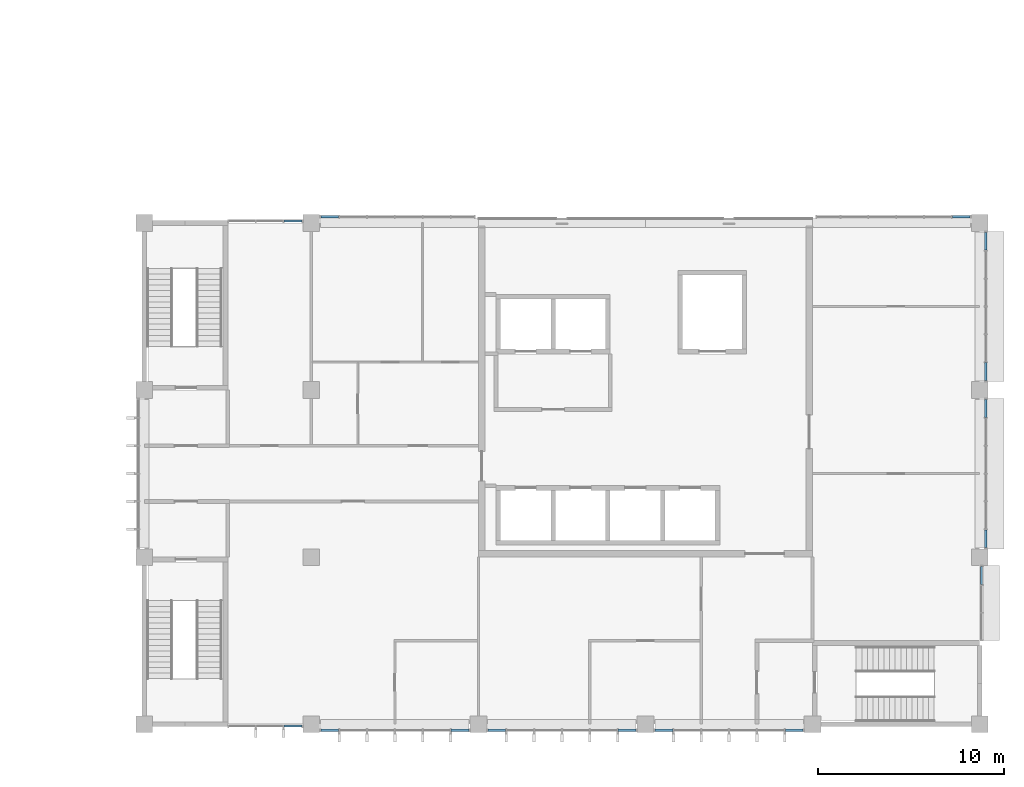
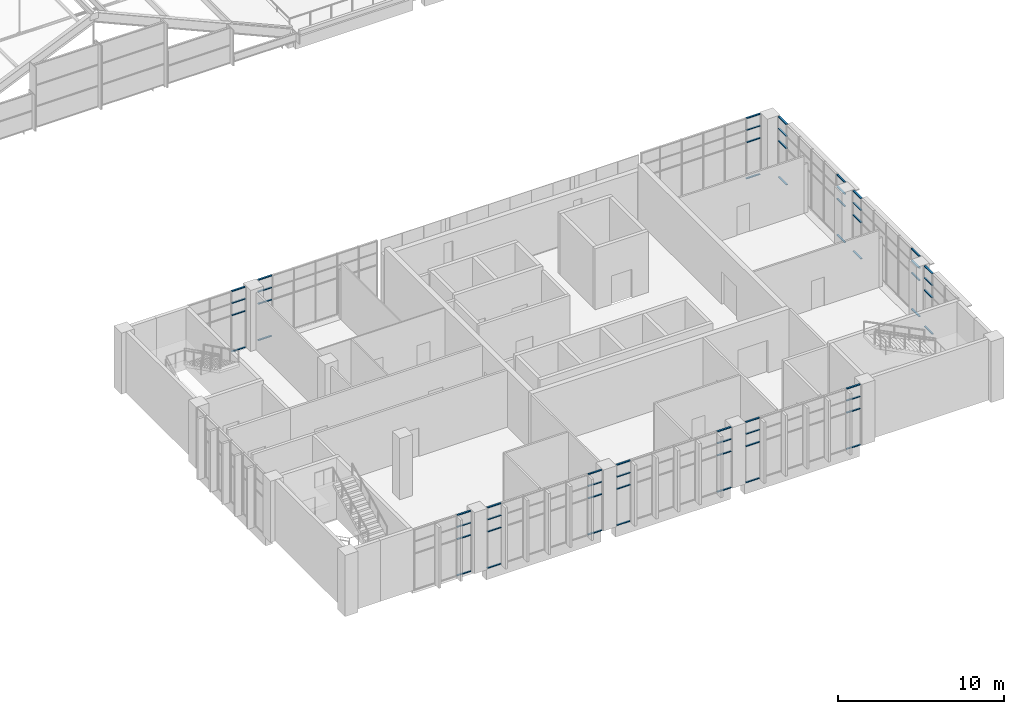
# One storey, part 49 of 106: 60 members, 10 elements without a shape of their own.
"""IFC4 building model written with IfcOpenShell, lengths in metres."""

from ifc_helpers import new_model, si_unit, direction, frame, origin, origin_2d, place, context, subcontext, project, spatial, rectangle, extrude, material, layer, layer_set, material_profile, profile_set, type_object, element, aggregate, save


model = new_model("IFC4")

# Units and contexts
model_context = context("Model", 3, precision=1e-05, world=origin(), true_north=direction((0.0, 1.0)))
body_context = subcontext(model_context, "Body", "Model", "MODEL_VIEW")
ifc_project = project(units=[si_unit("LENGTHUNIT", "METRE"), si_unit("AREAUNIT", "SQUARE_METRE"), si_unit("VOLUMEUNIT", "CUBIC_METRE"), si_unit("PLANEANGLEUNIT", "RADIAN"), si_unit("MASSUNIT", "GRAM", prefix="KILO")], contexts=[model_context])

# Site, building, storey
site_placement = place(None, origin())
site = spatial("IfcSite", under=ifc_project, at=site_placement, CompositionType="ELEMENT")
building_placement = place(site_placement, origin())
building = spatial("IfcBuilding", under=site, at=building_placement, Name="Guidao Yard Department Store", CompositionType="ELEMENT")
storey_placement = place(building_placement, frame((0.0, 0.0, 10.5)))
storey = spatial("IfcBuildingStorey", under=building, at=storey_placement, Name="L02", CompositionType="ELEMENT", Elevation=10.5)

# Curtain wall, members
ifc_material_1 = material(Name="Aluminium and glass", Category="aluminium")
ifc_layer = layer(ifc_material_1, 0.159912109375)
ifc_layer_set = layer_set([ifc_layer], Name="Unitised curtain wall CW4 1500 module")
curtain_wall_type = type_object("IfcCurtainWallType", Name="Unitised curtain wall CW4 1500 module", PredefinedType="NOTDEFINED", material=ifc_layer_set)
curtain_wall_1_placement = place(storey_placement, origin())
curtain_wall_1 = element("IfcCurtainWall", 1, at=curtain_wall_1_placement, inside=storey, type_object=curtain_wall_type, Name="Unitised curtain wall", PredefinedType="NOTDEFINED")
ifc_material_2 = material(Name="Aluminium 6063-T5", Category="aluminium")
ifc_material_profile = material_profile(ifc_material_2, rectangle(XDim=0.1201171875, YDim=0.06005859375, at=origin_2d()), Name="Transom T1 60 x 120 aluminium pressure plate")
ifc_profile_set = profile_set([ifc_material_profile], Name="Aluminium 6063-T5")
member_type = type_object("IfcMemberType", Name="Transom T1 60 x 120 aluminium pressure plate", PredefinedType="USERDEFINED", material=ifc_profile_set)
member_1_placement = place(storey_placement, frame((134.489990234375, -0.10009765625, 0.030029296875), z_axis=(-1.0, 0.0, 0.0), x_axis=(0.0, -1.0, 0.0)))
member_1 = element("IfcMember", 2, at=member_1_placement, type_object=member_type, Name="CW-OW-L02-01 transom 3.1", ObjectType="TRANSOM", PredefinedType="USERDEFINED", context=body_context, shape_type="SweptSolid", body=[
    extrude(rectangle(XDim=0.1201171875, YDim=0.06005859375, at=origin_2d()), origin(), (0.0, 0.0, 1.0), 0.9599609375),
])
member_2_placement = place(storey_placement, frame((134.489990234375, -0.10009765625, 2.699951171875), z_axis=(-1.0, 0.0, 0.0), x_axis=(0.0, -1.0, 0.0)))
member_2 = element("IfcMember", 3, at=member_2_placement, type_object=member_type, Name="CW-OW-L02-01 transom 3.2", ObjectType="TRANSOM", PredefinedType="USERDEFINED", context=body_context, shape_type="SweptSolid", body=[
    extrude(rectangle(XDim=0.1201171875, YDim=0.06005859375, at=origin_2d()), origin(), (0.0, 0.0, 1.0), 0.9599609375),
])
member_3_placement = place(storey_placement, frame((134.489990234375, -0.10009765625, 3.60009765625), z_axis=(-1.0, 0.0, 0.0), x_axis=(0.0, -1.0, 0.0)))
member_3 = element("IfcMember", 4, at=member_3_placement, type_object=member_type, Name="CW-OW-L02-01 transom 3.3", ObjectType="TRANSOM", PredefinedType="USERDEFINED", context=body_context, shape_type="SweptSolid", body=[
    extrude(rectangle(XDim=0.1201171875, YDim=0.06005859375, at=origin_2d()), origin(), (0.0, 0.0, 1.0), 0.9599609375),
])
member_4_placement = place(storey_placement, frame((134.489990234375, -0.10009765625, 4.469970703125), z_axis=(-1.0, 0.0, 0.0), x_axis=(0.0, -1.0, 0.0)))
member_4 = element("IfcMember", 5, at=member_4_placement, type_object=member_type, Name="CW-OW-L02-01 transom 3.4", ObjectType="TRANSOM", PredefinedType="USERDEFINED", context=body_context, shape_type="SweptSolid", body=[
    extrude(rectangle(XDim=0.1201171875, YDim=0.06005859375, at=origin_2d()), origin(), (0.0, 0.0, 1.0), 0.9599609375),
])
aggregate(curtain_wall_1, [member_1, member_2, member_3, member_4])

curtain_wall_2_placement = place(storey_placement, origin())
curtain_wall_2 = element("IfcCurtainWall", 6, at=curtain_wall_2_placement, inside=storey, type_object=curtain_wall_type, Name="Unitised curtain wall", PredefinedType="NOTDEFINED")
member_5_placement = place(storey_placement, frame((136.469970703125, -0.330078125, 0.030029296875), z_axis=(-1.0, 0.0, 0.0), x_axis=(0.0, -1.0, 0.0)))
member_5 = element("IfcMember", 7, at=member_5_placement, type_object=member_type, Name="CW-OW-L02-02 transom 1.1", ObjectType="TRANSOM", PredefinedType="USERDEFINED", context=body_context, shape_type="SweptSolid", body=[
    extrude(rectangle(XDim=0.1201171875, YDim=0.06005859375, at=origin_2d()), origin(), (0.0, 0.0, 1.0), 0.9599609375),
])
member_6_placement = place(storey_placement, frame((136.469970703125, -0.330078125, 2.699951171875), z_axis=(-1.0, 0.0, 0.0), x_axis=(0.0, -1.0, 0.0)))
member_6 = element("IfcMember", 8, at=member_6_placement, type_object=member_type, Name="CW-OW-L02-02 transom 1.2", ObjectType="TRANSOM", PredefinedType="USERDEFINED", context=body_context, shape_type="SweptSolid", body=[
    extrude(rectangle(XDim=0.1201171875, YDim=0.06005859375, at=origin_2d()), origin(), (0.0, 0.0, 1.0), 0.9599609375),
])
member_7_placement = place(storey_placement, frame((136.469970703125, -0.330078125, 3.60009765625), z_axis=(-1.0, 0.0, 0.0), x_axis=(0.0, -1.0, 0.0)))
member_7 = element("IfcMember", 9, at=member_7_placement, type_object=member_type, Name="CW-OW-L02-02 transom 1.3", ObjectType="TRANSOM", PredefinedType="USERDEFINED", context=body_context, shape_type="SweptSolid", body=[
    extrude(rectangle(XDim=0.1201171875, YDim=0.06005859375, at=origin_2d()), origin(), (0.0, 0.0, 1.0), 0.9599609375),
])
member_8_placement = place(storey_placement, frame((136.469970703125, -0.330078125, 4.469970703125), z_axis=(-1.0, 0.0, 0.0), x_axis=(0.0, -1.0, 0.0)))
member_8 = element("IfcMember", 10, at=member_8_placement, type_object=member_type, Name="CW-OW-L02-02 transom 1.4", ObjectType="TRANSOM", PredefinedType="USERDEFINED", context=body_context, shape_type="SweptSolid", body=[
    extrude(rectangle(XDim=0.1201171875, YDim=0.06005859375, at=origin_2d()), origin(), (0.0, 0.0, 1.0), 0.9599609375),
])
member_9_placement = place(storey_placement, frame((143.489990234375, -0.330078125, 0.030029296875), z_axis=(-1.0, 0.0, 0.0), x_axis=(0.0, -1.0, 0.0)))
member_9 = element("IfcMember", 11, at=member_9_placement, type_object=member_type, Name="CW-OW-L02-02 transom 6.1", ObjectType="TRANSOM", PredefinedType="USERDEFINED", context=body_context, shape_type="SweptSolid", body=[
    extrude(rectangle(XDim=0.1201171875, YDim=0.06005859375, at=origin_2d()), origin(), (0.0, 0.0, 1.0), 0.9599609375),
])
member_10_placement = place(storey_placement, frame((143.489990234375, -0.330078125, 2.699951171875), z_axis=(-1.0, 0.0, 0.0), x_axis=(0.0, -1.0, 0.0)))
member_10 = element("IfcMember", 12, at=member_10_placement, type_object=member_type, Name="CW-OW-L02-02 transom 6.2", ObjectType="TRANSOM", PredefinedType="USERDEFINED", context=body_context, shape_type="SweptSolid", body=[
    extrude(rectangle(XDim=0.1201171875, YDim=0.06005859375, at=origin_2d()), origin(), (0.0, 0.0, 1.0), 0.9599609375),
])
member_11_placement = place(storey_placement, frame((143.489990234375, -0.330078125, 3.60009765625), z_axis=(-1.0, 0.0, 0.0), x_axis=(0.0, -1.0, 0.0)))
member_11 = element("IfcMember", 13, at=member_11_placement, type_object=member_type, Name="CW-OW-L02-02 transom 6.3", ObjectType="TRANSOM", PredefinedType="USERDEFINED", context=body_context, shape_type="SweptSolid", body=[
    extrude(rectangle(XDim=0.1201171875, YDim=0.06005859375, at=origin_2d()), origin(), (0.0, 0.0, 1.0), 0.9599609375),
])
member_12_placement = place(storey_placement, frame((143.489990234375, -0.330078125, 4.469970703125), z_axis=(-1.0, 0.0, 0.0), x_axis=(0.0, -1.0, 0.0)))
member_12 = element("IfcMember", 14, at=member_12_placement, type_object=member_type, Name="CW-OW-L02-02 transom 6.4", ObjectType="TRANSOM", PredefinedType="USERDEFINED", context=body_context, shape_type="SweptSolid", body=[
    extrude(rectangle(XDim=0.1201171875, YDim=0.06005859375, at=origin_2d()), origin(), (0.0, 0.0, 1.0), 0.9599609375),
])
aggregate(curtain_wall_2, [member_5, member_6, member_7, member_8, member_9, member_10, member_11, member_12])

curtain_wall_3_placement = place(storey_placement, origin())
curtain_wall_3 = element("IfcCurtainWall", 15, at=curtain_wall_3_placement, inside=storey, type_object=curtain_wall_type, Name="Unitised curtain wall", PredefinedType="NOTDEFINED")
member_13_placement = place(storey_placement, frame((145.469970703125, -0.330078125, 0.030029296875), z_axis=(-1.0, 0.0, 0.0), x_axis=(0.0, -1.0, 0.0)))
member_13 = element("IfcMember", 16, at=member_13_placement, type_object=member_type, Name="CW-OW-L02-03 transom 1.1", ObjectType="TRANSOM", PredefinedType="USERDEFINED", context=body_context, shape_type="SweptSolid", body=[
    extrude(rectangle(XDim=0.1201171875, YDim=0.06005859375, at=origin_2d()), origin(), (0.0, 0.0, 1.0), 0.9599609375),
])
member_14_placement = place(storey_placement, frame((145.469970703125, -0.330078125, 2.699951171875), z_axis=(-1.0, 0.0, 0.0), x_axis=(0.0, -1.0, 0.0)))
member_14 = element("IfcMember", 17, at=member_14_placement, type_object=member_type, Name="CW-OW-L02-03 transom 1.2", ObjectType="TRANSOM", PredefinedType="USERDEFINED", context=body_context, shape_type="SweptSolid", body=[
    extrude(rectangle(XDim=0.1201171875, YDim=0.06005859375, at=origin_2d()), origin(), (0.0, 0.0, 1.0), 0.9599609375),
])
member_15_placement = place(storey_placement, frame((145.469970703125, -0.330078125, 3.60009765625), z_axis=(-1.0, 0.0, 0.0), x_axis=(0.0, -1.0, 0.0)))
member_15 = element("IfcMember", 18, at=member_15_placement, type_object=member_type, Name="CW-OW-L02-03 transom 1.3", ObjectType="TRANSOM", PredefinedType="USERDEFINED", context=body_context, shape_type="SweptSolid", body=[
    extrude(rectangle(XDim=0.1201171875, YDim=0.06005859375, at=origin_2d()), origin(), (0.0, 0.0, 1.0), 0.9599609375),
])
member_16_placement = place(storey_placement, frame((145.469970703125, -0.330078125, 4.469970703125), z_axis=(-1.0, 0.0, 0.0), x_axis=(0.0, -1.0, 0.0)))
member_16 = element("IfcMember", 19, at=member_16_placement, type_object=member_type, Name="CW-OW-L02-03 transom 1.4", ObjectType="TRANSOM", PredefinedType="USERDEFINED", context=body_context, shape_type="SweptSolid", body=[
    extrude(rectangle(XDim=0.1201171875, YDim=0.06005859375, at=origin_2d()), origin(), (0.0, 0.0, 1.0), 0.9599609375),
])
member_17_placement = place(storey_placement, frame((152.489990234375, -0.330078125, 0.030029296875), z_axis=(-1.0, 0.0, 0.0), x_axis=(0.0, -1.0, 0.0)))
member_17 = element("IfcMember", 20, at=member_17_placement, type_object=member_type, Name="CW-OW-L02-03 transom 6.1", ObjectType="TRANSOM", PredefinedType="USERDEFINED", context=body_context, shape_type="SweptSolid", body=[
    extrude(rectangle(XDim=0.1201171875, YDim=0.06005859375, at=origin_2d()), origin(), (0.0, 0.0, 1.0), 0.9599609375),
])
member_18_placement = place(storey_placement, frame((152.489990234375, -0.330078125, 2.699951171875), z_axis=(-1.0, 0.0, 0.0), x_axis=(0.0, -1.0, 0.0)))
member_18 = element("IfcMember", 21, at=member_18_placement, type_object=member_type, Name="CW-OW-L02-03 transom 6.2", ObjectType="TRANSOM", PredefinedType="USERDEFINED", context=body_context, shape_type="SweptSolid", body=[
    extrude(rectangle(XDim=0.1201171875, YDim=0.06005859375, at=origin_2d()), origin(), (0.0, 0.0, 1.0), 0.9599609375),
])
member_19_placement = place(storey_placement, frame((152.489990234375, -0.330078125, 3.60009765625), z_axis=(-1.0, 0.0, 0.0), x_axis=(0.0, -1.0, 0.0)))
member_19 = element("IfcMember", 22, at=member_19_placement, type_object=member_type, Name="CW-OW-L02-03 transom 6.3", ObjectType="TRANSOM", PredefinedType="USERDEFINED", context=body_context, shape_type="SweptSolid", body=[
    extrude(rectangle(XDim=0.1201171875, YDim=0.06005859375, at=origin_2d()), origin(), (0.0, 0.0, 1.0), 0.9599609375),
])
member_20_placement = place(storey_placement, frame((152.489990234375, -0.330078125, 4.469970703125), z_axis=(-1.0, 0.0, 0.0), x_axis=(0.0, -1.0, 0.0)))
member_20 = element("IfcMember", 23, at=member_20_placement, type_object=member_type, Name="CW-OW-L02-03 transom 6.4", ObjectType="TRANSOM", PredefinedType="USERDEFINED", context=body_context, shape_type="SweptSolid", body=[
    extrude(rectangle(XDim=0.1201171875, YDim=0.06005859375, at=origin_2d()), origin(), (0.0, 0.0, 1.0), 0.9599609375),
])
aggregate(curtain_wall_3, [member_13, member_14, member_15, member_16, member_17, member_18, member_19, member_20])

curtain_wall_4_placement = place(storey_placement, origin())
curtain_wall_4 = element("IfcCurtainWall", 24, at=curtain_wall_4_placement, inside=storey, type_object=curtain_wall_type, Name="Unitised curtain wall", PredefinedType="NOTDEFINED")
member_21_placement = place(storey_placement, frame((154.469970703125, -0.330078125, 0.030029296875), z_axis=(-1.0, 0.0, 0.0), x_axis=(0.0, -1.0, 0.0)))
member_21 = element("IfcMember", 25, at=member_21_placement, type_object=member_type, Name="CW-OW-L02-04 transom 1.1", ObjectType="TRANSOM", PredefinedType="USERDEFINED", context=body_context, shape_type="SweptSolid", body=[
    extrude(rectangle(XDim=0.1201171875, YDim=0.06005859375, at=origin_2d()), origin(), (0.0, 0.0, 1.0), 0.9599609375),
])
member_22_placement = place(storey_placement, frame((154.469970703125, -0.330078125, 2.699951171875), z_axis=(-1.0, 0.0, 0.0), x_axis=(0.0, -1.0, 0.0)))
member_22 = element("IfcMember", 26, at=member_22_placement, type_object=member_type, Name="CW-OW-L02-04 transom 1.2", ObjectType="TRANSOM", PredefinedType="USERDEFINED", context=body_context, shape_type="SweptSolid", body=[
    extrude(rectangle(XDim=0.1201171875, YDim=0.06005859375, at=origin_2d()), origin(), (0.0, 0.0, 1.0), 0.9599609375),
])
member_23_placement = place(storey_placement, frame((154.469970703125, -0.330078125, 3.60009765625), z_axis=(-1.0, 0.0, 0.0), x_axis=(0.0, -1.0, 0.0)))
member_23 = element("IfcMember", 27, at=member_23_placement, type_object=member_type, Name="CW-OW-L02-04 transom 1.3", ObjectType="TRANSOM", PredefinedType="USERDEFINED", context=body_context, shape_type="SweptSolid", body=[
    extrude(rectangle(XDim=0.1201171875, YDim=0.06005859375, at=origin_2d()), origin(), (0.0, 0.0, 1.0), 0.9599609375),
])
member_24_placement = place(storey_placement, frame((154.469970703125, -0.330078125, 4.469970703125), z_axis=(-1.0, 0.0, 0.0), x_axis=(0.0, -1.0, 0.0)))
member_24 = element("IfcMember", 28, at=member_24_placement, type_object=member_type, Name="CW-OW-L02-04 transom 1.4", ObjectType="TRANSOM", PredefinedType="USERDEFINED", context=body_context, shape_type="SweptSolid", body=[
    extrude(rectangle(XDim=0.1201171875, YDim=0.06005859375, at=origin_2d()), origin(), (0.0, 0.0, 1.0), 0.9599609375),
])
member_25_placement = place(storey_placement, frame((161.489990234375, -0.330078125, 0.030029296875), z_axis=(-1.0, 0.0, 0.0), x_axis=(0.0, -1.0, 0.0)))
member_25 = element("IfcMember", 29, at=member_25_placement, type_object=member_type, Name="CW-OW-L02-04 transom 6.1", ObjectType="TRANSOM", PredefinedType="USERDEFINED", context=body_context, shape_type="SweptSolid", body=[
    extrude(rectangle(XDim=0.1201171875, YDim=0.06005859375, at=origin_2d()), origin(), (0.0, 0.0, 1.0), 0.9599609375),
])
member_26_placement = place(storey_placement, frame((161.489990234375, -0.330078125, 2.699951171875), z_axis=(-1.0, 0.0, 0.0), x_axis=(0.0, -1.0, 0.0)))
member_26 = element("IfcMember", 30, at=member_26_placement, type_object=member_type, Name="CW-OW-L02-04 transom 6.2", ObjectType="TRANSOM", PredefinedType="USERDEFINED", context=body_context, shape_type="SweptSolid", body=[
    extrude(rectangle(XDim=0.1201171875, YDim=0.06005859375, at=origin_2d()), origin(), (0.0, 0.0, 1.0), 0.9599609375),
])
member_27_placement = place(storey_placement, frame((161.489990234375, -0.330078125, 3.60009765625), z_axis=(-1.0, 0.0, 0.0), x_axis=(0.0, -1.0, 0.0)))
member_27 = element("IfcMember", 31, at=member_27_placement, type_object=member_type, Name="CW-OW-L02-04 transom 6.3", ObjectType="TRANSOM", PredefinedType="USERDEFINED", context=body_context, shape_type="SweptSolid", body=[
    extrude(rectangle(XDim=0.1201171875, YDim=0.06005859375, at=origin_2d()), origin(), (0.0, 0.0, 1.0), 0.9599609375),
])
member_28_placement = place(storey_placement, frame((161.489990234375, -0.330078125, 4.469970703125), z_axis=(-1.0, 0.0, 0.0), x_axis=(0.0, -1.0, 0.0)))
member_28 = element("IfcMember", 32, at=member_28_placement, type_object=member_type, Name="CW-OW-L02-04 transom 6.4", ObjectType="TRANSOM", PredefinedType="USERDEFINED", context=body_context, shape_type="SweptSolid", body=[
    extrude(rectangle(XDim=0.1201171875, YDim=0.06005859375, at=origin_2d()), origin(), (0.0, 0.0, 1.0), 0.9599609375),
])
aggregate(curtain_wall_4, [member_21, member_22, member_23, member_24, member_25, member_26, member_27, member_28])

curtain_wall_5_placement = place(storey_placement, origin())
curtain_wall_5 = element("IfcCurtainWall", 33, at=curtain_wall_5_placement, inside=storey, type_object=curtain_wall_type, Name="Unitised curtain wall", PredefinedType="NOTDEFINED")
member_29_placement = place(storey_placement, frame((133.530029296875, 27.10009765625, 0.030029296875), z_axis=(1.0, 0.0, 0.0), x_axis=(0.0, 1.0, 0.0)))
member_29 = element("IfcMember", 34, at=member_29_placement, type_object=member_type, Name="CW-OW-L02-06 transom 3.1", ObjectType="TRANSOM", PredefinedType="USERDEFINED", context=body_context, shape_type="SweptSolid", body=[
    extrude(rectangle(XDim=0.1201171875, YDim=0.06005859375, at=origin_2d()), origin(), (0.0, 0.0, 1.0), 0.9599609375),
])
member_30_placement = place(storey_placement, frame((133.530029296875, 27.10009765625, 2.699951171875), z_axis=(1.0, 0.0, 0.0), x_axis=(0.0, 1.0, 0.0)))
member_30 = element("IfcMember", 35, at=member_30_placement, type_object=member_type, Name="CW-OW-L02-06 transom 3.2", ObjectType="TRANSOM", PredefinedType="USERDEFINED", context=body_context, shape_type="SweptSolid", body=[
    extrude(rectangle(XDim=0.1201171875, YDim=0.06005859375, at=origin_2d()), origin(), (0.0, 0.0, 1.0), 0.9599609375),
])
member_31_placement = place(storey_placement, frame((133.530029296875, 27.10009765625, 3.60009765625), z_axis=(1.0, 0.0, 0.0), x_axis=(0.0, 1.0, 0.0)))
member_31 = element("IfcMember", 36, at=member_31_placement, type_object=member_type, Name="CW-OW-L02-06 transom 3.3", ObjectType="TRANSOM", PredefinedType="USERDEFINED", context=body_context, shape_type="SweptSolid", body=[
    extrude(rectangle(XDim=0.1201171875, YDim=0.06005859375, at=origin_2d()), origin(), (0.0, 0.0, 1.0), 0.9599609375),
])
member_32_placement = place(storey_placement, frame((133.530029296875, 27.10009765625, 4.469970703125), z_axis=(1.0, 0.0, 0.0), x_axis=(0.0, 1.0, 0.0)))
member_32 = element("IfcMember", 37, at=member_32_placement, type_object=member_type, Name="CW-OW-L02-06 transom 3.4", ObjectType="TRANSOM", PredefinedType="USERDEFINED", context=body_context, shape_type="SweptSolid", body=[
    extrude(rectangle(XDim=0.1201171875, YDim=0.06005859375, at=origin_2d()), origin(), (0.0, 0.0, 1.0), 0.9599609375),
])
aggregate(curtain_wall_5, [member_29, member_30, member_31, member_32])

curtain_wall_6_placement = place(storey_placement, origin())
curtain_wall_6 = element("IfcCurtainWall", 38, at=curtain_wall_6_placement, inside=storey, type_object=curtain_wall_type, Name="Unitised curtain wall", PredefinedType="NOTDEFINED")
member_33_placement = place(storey_placement, frame((135.510009765625, 27.330078125, 0.030029296875), z_axis=(1.0, 0.0, 0.0), x_axis=(0.0, 1.0, 0.0)))
member_33 = element("IfcMember", 39, at=member_33_placement, type_object=member_type, Name="CW-OW-L02-07 transom 1.1", ObjectType="TRANSOM", PredefinedType="USERDEFINED", context=body_context, shape_type="SweptSolid", body=[
    extrude(rectangle(XDim=0.1201171875, YDim=0.06005859375, at=origin_2d()), origin(), (0.0, 0.0, 1.0), 0.9599609375),
])
member_34_placement = place(storey_placement, frame((135.510009765625, 27.330078125, 2.699951171875), z_axis=(1.0, 0.0, 0.0), x_axis=(0.0, 1.0, 0.0)))
member_34 = element("IfcMember", 40, at=member_34_placement, type_object=member_type, Name="CW-OW-L02-07 transom 1.2", ObjectType="TRANSOM", PredefinedType="USERDEFINED", context=body_context, shape_type="SweptSolid", body=[
    extrude(rectangle(XDim=0.1201171875, YDim=0.06005859375, at=origin_2d()), origin(), (0.0, 0.0, 1.0), 0.9599609375),
])
member_35_placement = place(storey_placement, frame((135.510009765625, 27.330078125, 3.60009765625), z_axis=(1.0, 0.0, 0.0), x_axis=(0.0, 1.0, 0.0)))
member_35 = element("IfcMember", 41, at=member_35_placement, type_object=member_type, Name="CW-OW-L02-07 transom 1.3", ObjectType="TRANSOM", PredefinedType="USERDEFINED", context=body_context, shape_type="SweptSolid", body=[
    extrude(rectangle(XDim=0.1201171875, YDim=0.06005859375, at=origin_2d()), origin(), (0.0, 0.0, 1.0), 0.9599609375),
])
member_36_placement = place(storey_placement, frame((135.510009765625, 27.330078125, 4.469970703125), z_axis=(1.0, 0.0, 0.0), x_axis=(0.0, 1.0, 0.0)))
member_36 = element("IfcMember", 42, at=member_36_placement, type_object=member_type, Name="CW-OW-L02-07 transom 1.4", ObjectType="TRANSOM", PredefinedType="USERDEFINED", context=body_context, shape_type="SweptSolid", body=[
    extrude(rectangle(XDim=0.1201171875, YDim=0.06005859375, at=origin_2d()), origin(), (0.0, 0.0, 1.0), 0.9599609375),
])
aggregate(curtain_wall_6, [member_33, member_34, member_35, member_36])

curtain_wall_7_placement = place(storey_placement, origin())
curtain_wall_7 = element("IfcCurtainWall", 43, at=curtain_wall_7_placement, inside=storey, type_object=curtain_wall_type, Name="Unitised curtain wall", PredefinedType="NOTDEFINED")
member_37_placement = place(storey_placement, frame((169.530029296875, 27.330078125, 0.030029296875), z_axis=(1.0, 0.0, 0.0), x_axis=(0.0, 1.0, 0.0)))
member_37 = element("IfcMember", 44, at=member_37_placement, type_object=member_type, Name="CW-OW-L02-08 transom 6.1", ObjectType="TRANSOM", PredefinedType="USERDEFINED", context=body_context, shape_type="SweptSolid", body=[
    extrude(rectangle(XDim=0.1201171875, YDim=0.06005859375, at=origin_2d()), origin(), (0.0, 0.0, 1.0), 0.9599609375),
])
member_38_placement = place(storey_placement, frame((169.530029296875, 27.330078125, 2.699951171875), z_axis=(1.0, 0.0, 0.0), x_axis=(0.0, 1.0, 0.0)))
member_38 = element("IfcMember", 45, at=member_38_placement, type_object=member_type, Name="CW-OW-L02-08 transom 6.2", ObjectType="TRANSOM", PredefinedType="USERDEFINED", context=body_context, shape_type="SweptSolid", body=[
    extrude(rectangle(XDim=0.1201171875, YDim=0.06005859375, at=origin_2d()), origin(), (0.0, 0.0, 1.0), 0.9599609375),
])
member_39_placement = place(storey_placement, frame((169.530029296875, 27.330078125, 3.60009765625), z_axis=(1.0, 0.0, 0.0), x_axis=(0.0, 1.0, 0.0)))
member_39 = element("IfcMember", 46, at=member_39_placement, type_object=member_type, Name="CW-OW-L02-08 transom 6.3", ObjectType="TRANSOM", PredefinedType="USERDEFINED", context=body_context, shape_type="SweptSolid", body=[
    extrude(rectangle(XDim=0.1201171875, YDim=0.06005859375, at=origin_2d()), origin(), (0.0, 0.0, 1.0), 0.9599609375),
])
member_40_placement = place(storey_placement, frame((169.530029296875, 27.330078125, 4.469970703125), z_axis=(1.0, 0.0, 0.0), x_axis=(0.0, 1.0, 0.0)))
member_40 = element("IfcMember", 47, at=member_40_placement, type_object=member_type, Name="CW-OW-L02-08 transom 6.4", ObjectType="TRANSOM", PredefinedType="USERDEFINED", context=body_context, shape_type="SweptSolid", body=[
    extrude(rectangle(XDim=0.1201171875, YDim=0.06005859375, at=origin_2d()), origin(), (0.0, 0.0, 1.0), 0.9599609375),
])
aggregate(curtain_wall_7, [member_37, member_38, member_39, member_40])

curtain_wall_8_placement = place(storey_placement, origin())
curtain_wall_8 = element("IfcCurtainWall", 48, at=curtain_wall_8_placement, inside=storey, type_object=curtain_wall_type, Name="Unitised curtain wall", PredefinedType="NOTDEFINED")
member_41_placement = place(storey_placement, frame((171.10009765625, 8.489990234375, 0.030029296875), z_axis=(0.0, -1.0, 0.0), x_axis=(1.0, 0.0, 0.0)))
member_41 = element("IfcMember", 49, at=member_41_placement, type_object=member_type, Name="CW-OW-L02-09 transom 3.1", ObjectType="TRANSOM", PredefinedType="USERDEFINED", context=body_context, shape_type="SweptSolid", body=[
    extrude(rectangle(XDim=0.1201171875, YDim=0.06005859375, at=origin_2d()), origin(), (0.0, 0.0, 1.0), 0.9599609375),
])
member_42_placement = place(storey_placement, frame((171.10009765625, 8.489990234375, 2.699951171875), z_axis=(0.0, -1.0, 0.0), x_axis=(1.0, 0.0, 0.0)))
member_42 = element("IfcMember", 50, at=member_42_placement, type_object=member_type, Name="CW-OW-L02-09 transom 3.2", ObjectType="TRANSOM", PredefinedType="USERDEFINED", context=body_context, shape_type="SweptSolid", body=[
    extrude(rectangle(XDim=0.1201171875, YDim=0.06005859375, at=origin_2d()), origin(), (0.0, 0.0, 1.0), 0.9599609375),
])
member_43_placement = place(storey_placement, frame((171.10009765625, 8.489990234375, 3.60009765625), z_axis=(0.0, -1.0, 0.0), x_axis=(1.0, 0.0, 0.0)))
member_43 = element("IfcMember", 51, at=member_43_placement, type_object=member_type, Name="CW-OW-L02-09 transom 3.3", ObjectType="TRANSOM", PredefinedType="USERDEFINED", context=body_context, shape_type="SweptSolid", body=[
    extrude(rectangle(XDim=0.1201171875, YDim=0.06005859375, at=origin_2d()), origin(), (0.0, 0.0, 1.0), 0.9599609375),
])
member_44_placement = place(storey_placement, frame((171.10009765625, 8.489990234375, 4.469970703125), z_axis=(0.0, -1.0, 0.0), x_axis=(1.0, 0.0, 0.0)))
member_44 = element("IfcMember", 52, at=member_44_placement, type_object=member_type, Name="CW-OW-L02-09 transom 3.4", ObjectType="TRANSOM", PredefinedType="USERDEFINED", context=body_context, shape_type="SweptSolid", body=[
    extrude(rectangle(XDim=0.1201171875, YDim=0.06005859375, at=origin_2d()), origin(), (0.0, 0.0, 1.0), 0.9599609375),
])
aggregate(curtain_wall_8, [member_41, member_42, member_43, member_44])

curtain_wall_9_placement = place(storey_placement, origin())
curtain_wall_9 = element("IfcCurtainWall", 53, at=curtain_wall_9_placement, inside=storey, type_object=curtain_wall_type, Name="Unitised curtain wall", PredefinedType="NOTDEFINED")
member_45_placement = place(storey_placement, frame((171.330078125, 10.469970703125, 0.030029296875), z_axis=(0.0, -1.0, 0.0), x_axis=(1.0, 0.0, 0.0)))
member_45 = element("IfcMember", 54, at=member_45_placement, type_object=member_type, Name="CW-OW-L02-10 transom 1.1", ObjectType="TRANSOM", PredefinedType="USERDEFINED", context=body_context, shape_type="SweptSolid", body=[
    extrude(rectangle(XDim=0.1201171875, YDim=0.06005859375, at=origin_2d()), origin(), (0.0, 0.0, 1.0), 0.9599609375),
])
member_46_placement = place(storey_placement, frame((171.330078125, 10.469970703125, 2.699951171875), z_axis=(0.0, -1.0, 0.0), x_axis=(1.0, 0.0, 0.0)))
member_46 = element("IfcMember", 55, at=member_46_placement, type_object=member_type, Name="CW-OW-L02-10 transom 1.2", ObjectType="TRANSOM", PredefinedType="USERDEFINED", context=body_context, shape_type="SweptSolid", body=[
    extrude(rectangle(XDim=0.1201171875, YDim=0.06005859375, at=origin_2d()), origin(), (0.0, 0.0, 1.0), 0.9599609375),
])
member_47_placement = place(storey_placement, frame((171.330078125, 10.469970703125, 3.60009765625), z_axis=(0.0, -1.0, 0.0), x_axis=(1.0, 0.0, 0.0)))
member_47 = element("IfcMember", 56, at=member_47_placement, type_object=member_type, Name="CW-OW-L02-10 transom 1.3", ObjectType="TRANSOM", PredefinedType="USERDEFINED", context=body_context, shape_type="SweptSolid", body=[
    extrude(rectangle(XDim=0.1201171875, YDim=0.06005859375, at=origin_2d()), origin(), (0.0, 0.0, 1.0), 0.9599609375),
])
member_48_placement = place(storey_placement, frame((171.330078125, 10.469970703125, 4.469970703125), z_axis=(0.0, -1.0, 0.0), x_axis=(1.0, 0.0, 0.0)))
member_48 = element("IfcMember", 57, at=member_48_placement, type_object=member_type, Name="CW-OW-L02-10 transom 1.4", ObjectType="TRANSOM", PredefinedType="USERDEFINED", context=body_context, shape_type="SweptSolid", body=[
    extrude(rectangle(XDim=0.1201171875, YDim=0.06005859375, at=origin_2d()), origin(), (0.0, 0.0, 1.0), 0.9599609375),
])
member_49_placement = place(storey_placement, frame((171.330078125, 17.489990234375, 0.030029296875), z_axis=(0.0, -1.0, 0.0), x_axis=(1.0, 0.0, 0.0)))
member_49 = element("IfcMember", 58, at=member_49_placement, type_object=member_type, Name="CW-OW-L02-10 transom 6.1", ObjectType="TRANSOM", PredefinedType="USERDEFINED", context=body_context, shape_type="SweptSolid", body=[
    extrude(rectangle(XDim=0.1201171875, YDim=0.06005859375, at=origin_2d()), origin(), (0.0, 0.0, 1.0), 0.9599609375),
])
member_50_placement = place(storey_placement, frame((171.330078125, 17.489990234375, 2.699951171875), z_axis=(0.0, -1.0, 0.0), x_axis=(1.0, 0.0, 0.0)))
member_50 = element("IfcMember", 59, at=member_50_placement, type_object=member_type, Name="CW-OW-L02-10 transom 6.2", ObjectType="TRANSOM", PredefinedType="USERDEFINED", context=body_context, shape_type="SweptSolid", body=[
    extrude(rectangle(XDim=0.1201171875, YDim=0.06005859375, at=origin_2d()), origin(), (0.0, 0.0, 1.0), 0.9599609375),
])
member_51_placement = place(storey_placement, frame((171.330078125, 17.489990234375, 3.60009765625), z_axis=(0.0, -1.0, 0.0), x_axis=(1.0, 0.0, 0.0)))
member_51 = element("IfcMember", 60, at=member_51_placement, type_object=member_type, Name="CW-OW-L02-10 transom 6.3", ObjectType="TRANSOM", PredefinedType="USERDEFINED", context=body_context, shape_type="SweptSolid", body=[
    extrude(rectangle(XDim=0.1201171875, YDim=0.06005859375, at=origin_2d()), origin(), (0.0, 0.0, 1.0), 0.9599609375),
])
member_52_placement = place(storey_placement, frame((171.330078125, 17.489990234375, 4.469970703125), z_axis=(0.0, -1.0, 0.0), x_axis=(1.0, 0.0, 0.0)))
member_52 = element("IfcMember", 61, at=member_52_placement, type_object=member_type, Name="CW-OW-L02-10 transom 6.4", ObjectType="TRANSOM", PredefinedType="USERDEFINED", context=body_context, shape_type="SweptSolid", body=[
    extrude(rectangle(XDim=0.1201171875, YDim=0.06005859375, at=origin_2d()), origin(), (0.0, 0.0, 1.0), 0.9599609375),
])
aggregate(curtain_wall_9, [member_45, member_46, member_47, member_48, member_49, member_50, member_51, member_52])

curtain_wall_10_placement = place(storey_placement, origin())
curtain_wall_10 = element("IfcCurtainWall", 62, at=curtain_wall_10_placement, inside=storey, type_object=curtain_wall_type, Name="Unitised curtain wall", PredefinedType="NOTDEFINED")
member_53_placement = place(storey_placement, frame((171.330078125, 19.469970703125, 0.030029296875), z_axis=(0.0, -1.0, 0.0), x_axis=(1.0, 0.0, 0.0)))
member_53 = element("IfcMember", 63, at=member_53_placement, type_object=member_type, Name="CW-OW-L02-11 transom 1.1", ObjectType="TRANSOM", PredefinedType="USERDEFINED", context=body_context, shape_type="SweptSolid", body=[
    extrude(rectangle(XDim=0.1201171875, YDim=0.06005859375, at=origin_2d()), origin(), (0.0, 0.0, 1.0), 0.9599609375),
])
member_54_placement = place(storey_placement, frame((171.330078125, 19.469970703125, 2.699951171875), z_axis=(0.0, -1.0, 0.0), x_axis=(1.0, 0.0, 0.0)))
member_54 = element("IfcMember", 64, at=member_54_placement, type_object=member_type, Name="CW-OW-L02-11 transom 1.2", ObjectType="TRANSOM", PredefinedType="USERDEFINED", context=body_context, shape_type="SweptSolid", body=[
    extrude(rectangle(XDim=0.1201171875, YDim=0.06005859375, at=origin_2d()), origin(), (0.0, 0.0, 1.0), 0.9599609375),
])
member_55_placement = place(storey_placement, frame((171.330078125, 19.469970703125, 3.60009765625), z_axis=(0.0, -1.0, 0.0), x_axis=(1.0, 0.0, 0.0)))
member_55 = element("IfcMember", 65, at=member_55_placement, type_object=member_type, Name="CW-OW-L02-11 transom 1.3", ObjectType="TRANSOM", PredefinedType="USERDEFINED", context=body_context, shape_type="SweptSolid", body=[
    extrude(rectangle(XDim=0.1201171875, YDim=0.06005859375, at=origin_2d()), origin(), (0.0, 0.0, 1.0), 0.9599609375),
])
member_56_placement = place(storey_placement, frame((171.330078125, 19.469970703125, 4.469970703125), z_axis=(0.0, -1.0, 0.0), x_axis=(1.0, 0.0, 0.0)))
member_56 = element("IfcMember", 66, at=member_56_placement, type_object=member_type, Name="CW-OW-L02-11 transom 1.4", ObjectType="TRANSOM", PredefinedType="USERDEFINED", context=body_context, shape_type="SweptSolid", body=[
    extrude(rectangle(XDim=0.1201171875, YDim=0.06005859375, at=origin_2d()), origin(), (0.0, 0.0, 1.0), 0.9599609375),
])
member_57_placement = place(storey_placement, frame((171.330078125, 26.489990234375, 0.030029296875), z_axis=(0.0, -1.0, 0.0), x_axis=(1.0, 0.0, 0.0)))
member_57 = element("IfcMember", 67, at=member_57_placement, type_object=member_type, Name="CW-OW-L02-11 transom 6.1", ObjectType="TRANSOM", PredefinedType="USERDEFINED", context=body_context, shape_type="SweptSolid", body=[
    extrude(rectangle(XDim=0.1201171875, YDim=0.06005859375, at=origin_2d()), origin(), (0.0, 0.0, 1.0), 0.9599609375),
])
member_58_placement = place(storey_placement, frame((171.330078125, 26.489990234375, 2.699951171875), z_axis=(0.0, -1.0, 0.0), x_axis=(1.0, 0.0, 0.0)))
member_58 = element("IfcMember", 68, at=member_58_placement, type_object=member_type, Name="CW-OW-L02-11 transom 6.2", ObjectType="TRANSOM", PredefinedType="USERDEFINED", context=body_context, shape_type="SweptSolid", body=[
    extrude(rectangle(XDim=0.1201171875, YDim=0.06005859375, at=origin_2d()), origin(), (0.0, 0.0, 1.0), 0.9599609375),
])
member_59_placement = place(storey_placement, frame((171.330078125, 26.489990234375, 3.60009765625), z_axis=(0.0, -1.0, 0.0), x_axis=(1.0, 0.0, 0.0)))
member_59 = element("IfcMember", 69, at=member_59_placement, type_object=member_type, Name="CW-OW-L02-11 transom 6.3", ObjectType="TRANSOM", PredefinedType="USERDEFINED", context=body_context, shape_type="SweptSolid", body=[
    extrude(rectangle(XDim=0.1201171875, YDim=0.06005859375, at=origin_2d()), origin(), (0.0, 0.0, 1.0), 0.9599609375),
])
member_60_placement = place(storey_placement, frame((171.330078125, 26.489990234375, 4.469970703125), z_axis=(0.0, -1.0, 0.0), x_axis=(1.0, 0.0, 0.0)))
member_60 = element("IfcMember", 70, at=member_60_placement, type_object=member_type, Name="CW-OW-L02-11 transom 6.4", ObjectType="TRANSOM", PredefinedType="USERDEFINED", context=body_context, shape_type="SweptSolid", body=[
    extrude(rectangle(XDim=0.1201171875, YDim=0.06005859375, at=origin_2d()), origin(), (0.0, 0.0, 1.0), 0.9599609375),
])
aggregate(curtain_wall_10, [member_53, member_54, member_55, member_56, member_57, member_58, member_59, member_60])

save(model, "model.ifc")
